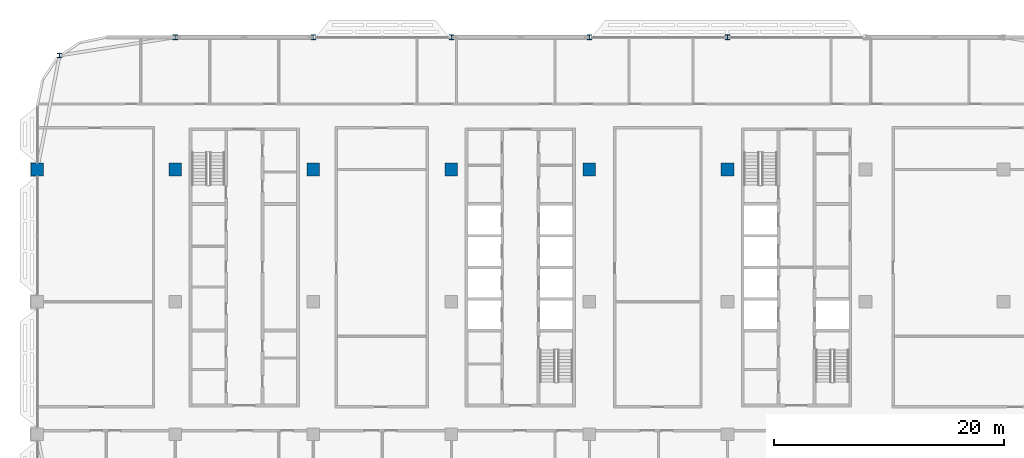
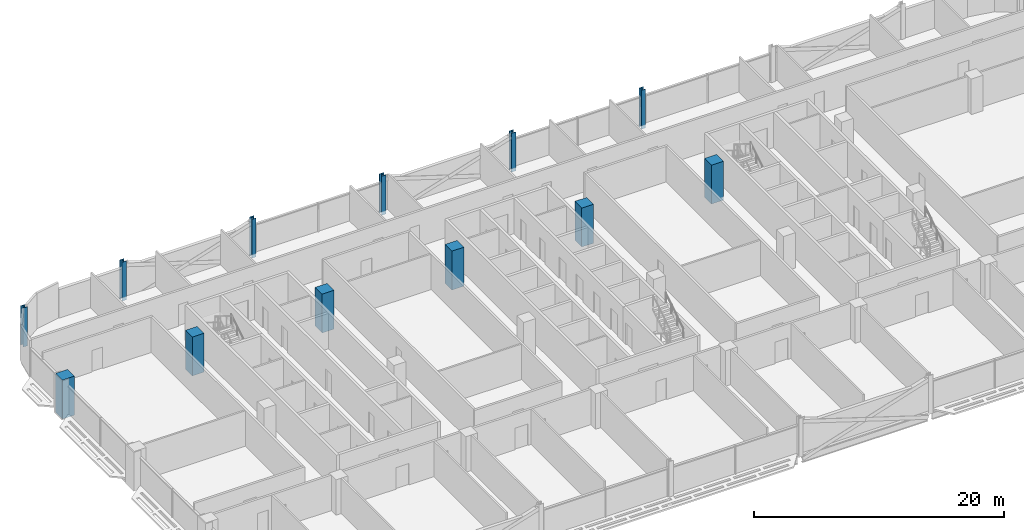
# One storey, part 2 of 29: 12 columns.
"""IFC4 building model written with IfcOpenShell, lengths in metres."""

from ifc_helpers import new_model, si_unit, direction, frame, origin, origin_2d, place, context, subcontext, project, spatial, rectangle, i_section, extrude, material, material_profile, profile_set, type_object, element, save


model = new_model("IFC4")

# Units and contexts
model_context = context("Model", 3, precision=1e-05, world=origin(), true_north=direction((0.0, 1.0)))
body_context = subcontext(model_context, "Body", "Model", "MODEL_VIEW")
ifc_project = project(units=[si_unit("LENGTHUNIT", "METRE"), si_unit("AREAUNIT", "SQUARE_METRE"), si_unit("VOLUMEUNIT", "CUBIC_METRE"), si_unit("PLANEANGLEUNIT", "RADIAN"), si_unit("MASSUNIT", "GRAM", prefix="KILO")], contexts=[model_context])

# Site, building, storey
site_placement = place(None, origin())
site = spatial("IfcSite", under=ifc_project, at=site_placement, CompositionType="ELEMENT")
building_placement = place(site_placement, origin())
building = spatial("IfcBuilding", under=site, at=building_placement, Name="Mahtab Terrace Research Tower", CompositionType="ELEMENT")
storey_placement = place(building_placement, frame((0.0, 0.0, 197.699951171875)))
storey = spatial("IfcBuildingStorey", under=building, at=storey_placement, Name="L47", CompositionType="ELEMENT", Elevation=197.699951171875)

# Columns
ifc_material_1 = material(Name="Concrete C70/85", Category="concrete")
ifc_material_profile_1 = material_profile(ifc_material_1, rectangle(XDim=1.10009765625, YDim=1.10009765625, at=origin_2d()), Name="RC column 1100x1100")
ifc_profile_set_1 = profile_set([ifc_material_profile_1], Name="Concrete C70/85")
column_type_1 = type_object("IfcColumnType", Name="RC column 1100x1100", PredefinedType="COLUMN", material=ifc_profile_set_1)
for number, where, z_axis, x_axis, name in (
    (1, (-42.0, 11.5, -0.33984375), (0.0, 0.0, 1.0), (1.0, 0.0, 0.0), "Column RC-1C L47"),
    (2, (-30.0, 11.5, -0.33984375), (0.0, 0.0, 1.0), (1.0, 0.0, 0.0), "Column RC-2C L47"),
    (3, (-18.0, 11.5, -0.33984375), (0.0, 0.0, 1.0), (1.0, 0.0, 0.0), "Column RC-3C L47"),
    (4, (-6.0, 11.5, -0.33984375), (0.0, 0.0, 1.0), (1.0, 0.0, 0.0), "Column RC-4C L47"),
    (5, (6.0, 11.5, -0.33984375), (0.0, 0.0, 1.0), (1.0, 0.0, 0.0), "Column RC-5C L47"),
    (6, (18.0, 11.5, -0.33984375), (0.0, 0.0, 1.0), (1.0, 0.0, 0.0), "Column RC-6C L47"),
):
    element("IfcColumn", number, at=place(storey_placement, frame(where, z_axis=z_axis, x_axis=x_axis)), inside=storey, type_object=column_type_1, Name=name, PredefinedType="COLUMN", context=body_context, shape_type="SweptSolid", body=[
        extrude(rectangle(XDim=1.10009765625, YDim=1.10009765625, at=origin_2d()), origin(), (0.0, 0.0, 1.0), 3.7998046875),
    ])
ifc_material_2 = material(Name="Steel ASTM A992 Gr 50", Category="steel")
ifc_material_profile_2 = material_profile(ifc_material_2, i_section(OverallWidth=0.4013671875, OverallDepth=0.398681640625, WebThickness=0.02490234375, FlangeThickness=0.03955078125, at=origin_2d()), Name="W14X211")
ifc_profile_set_2 = profile_set([ifc_material_profile_2], Name="Steel ASTM A992 Gr 50")
column_type_2 = type_object("IfcColumnType", Name="W14x211 column CS14211", PredefinedType="COLUMN", material=ifc_profile_set_2)
for number, where, z_axis, x_axis, name in (
    (7, (18.0, 23.0, -0.33984375), (0.0, 0.0, 1.0), (1.0, 0.0, 0.0), "Column SC-003 L47"),
    (8, (6.0, 23.0, -0.33984375), (0.0, 0.0, 1.0), (1.0, 0.0, 0.0), "Column SC-004 L47"),
    (9, (-6.0, 23.0, -0.33984375), (0.0, 0.0, 1.0), (1.0, 0.0, 0.0), "Column SC-005 L47"),
    (10, (-18.0, 23.0, -0.33984375), (0.0, 0.0, 1.0), (1.0, 0.0, 0.0), "Column SC-006 L47"),
    (11, (-30.0, 23.0, -0.33984375), (0.0, 0.0, 1.0), (1.0, 0.0, 0.0), "Column SC-007 L47"),
    (12, (-40.06201171875, 21.416015625, -0.33984375), (0.0, 0.0, 1.0), (1.0, 0.0, 0.0), "Column SC-024 L47"),
):
    element("IfcColumn", number, at=place(storey_placement, frame(where, z_axis=z_axis, x_axis=x_axis)), inside=storey, type_object=column_type_2, Name=name, PredefinedType="COLUMN", context=body_context, shape_type="SweptSolid", body=[
        extrude(i_section(OverallWidth=0.4013671875, OverallDepth=0.398681640625, WebThickness=0.02490234375, FlangeThickness=0.03955078125, at=origin_2d()), origin(), (0.0, 0.0, 1.0), 3.7998046875),
    ])

save(model, "model.ifc")
